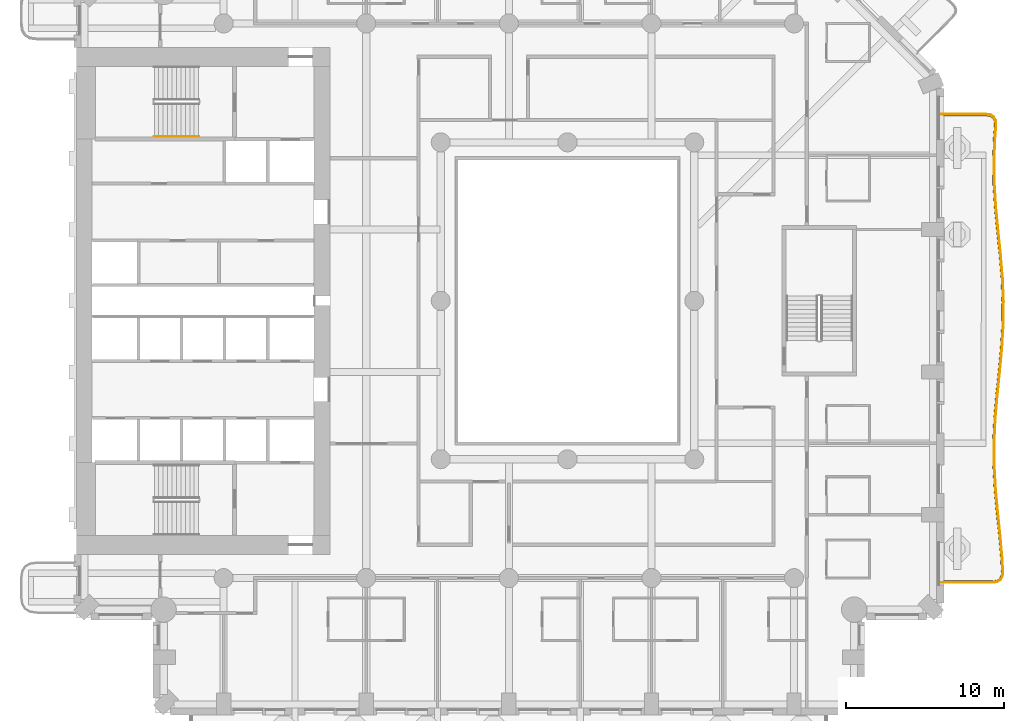
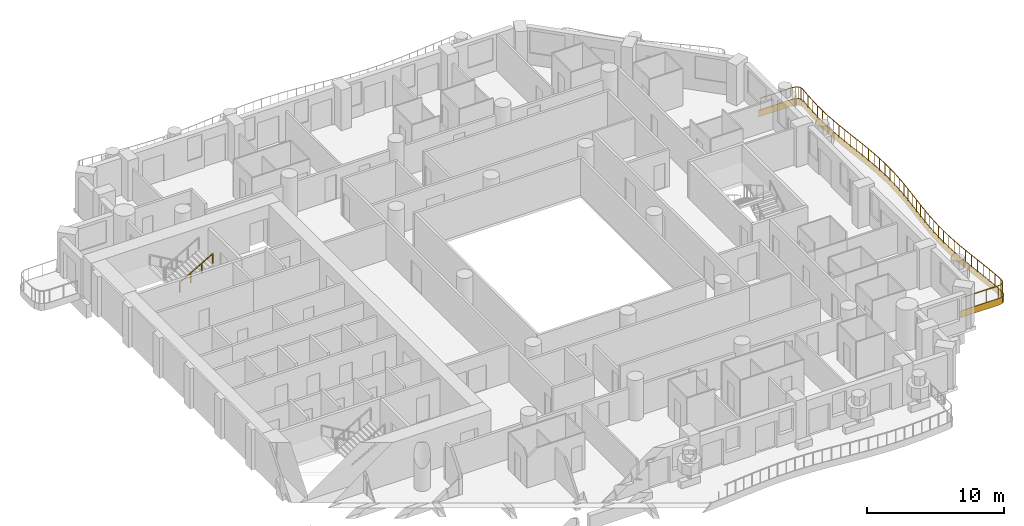
# One storey, part 16 of 20: 2 railings, 1 covering.
"""IFC4 building model written with IfcOpenShell, lengths in metres."""

from ifc_helpers import new_model, si_unit, direction, frame, origin, origin_2d, place, context, subcontext, project, spatial, polyline, rectangle, outline, extrude, material, layer, layer_set, type_object, element, save


model = new_model("IFC4")

# Units and contexts
model_context = context("Model", 3, precision=1e-05, world=origin(), true_north=direction((0.0, 1.0)))
body_context = subcontext(model_context, "Body", "Model", "MODEL_VIEW")
ifc_project = project(units=[si_unit("LENGTHUNIT", "METRE"), si_unit("AREAUNIT", "SQUARE_METRE"), si_unit("VOLUMEUNIT", "CUBIC_METRE"), si_unit("PLANEANGLEUNIT", "RADIAN"), si_unit("MASSUNIT", "GRAM", prefix="KILO")], contexts=[model_context])

# Site, building, storey
site_placement = place(None, origin())
site = spatial("IfcSite", under=ifc_project, at=site_placement, CompositionType="ELEMENT")
building_placement = place(site_placement, origin())
building = spatial("IfcBuilding", under=site, at=building_placement, Name="Cypress Arch Tower", CompositionType="ELEMENT")
storey_placement = place(building_placement, frame((0.0, 0.0, 55.5)))
storey = spatial("IfcBuildingStorey", under=building, at=storey_placement, Name="L07", CompositionType="ELEMENT", Elevation=55.5)

# Covering
ifc_material_1 = material(Name="White powder-coated aluminium fascia", Category="aluminium")
ifc_layer = layer(ifc_material_1, 0.050048828125)
ifc_layer_set = layer_set([ifc_layer], Name="Balcony fascia BF50")
covering_type = type_object("IfcCoveringType", Name="Balcony fascia BF50", PredefinedType="CLADDING", material=ifc_layer_set)
covering_placement = place(storey_placement, frame((0.0, 0.0, -0.60009765625)))
element("IfcCovering", 1, at=covering_placement, inside=storey, type_object=covering_type, Name="Balcony fascia L07-A06", PredefinedType="CLADDING", context=body_context, shape_type="SweptSolid", body=[
    extrude(outline(polyline([(27.410888671875, 11.800048828125), (27.712890625, 11.756591796875), (27.931640625, 11.619140625), (28.051025390625, 11.390380859375), (28.070556640625, 11.0859375), (28.005615234375, 10.272216796875), (27.95166015625, 8.799560546875), (27.974853515625, 7.326904296875), (28.0693359375, 5.85400390625), (28.210693359375, 4.3798828125), (28.362060546875, 2.904541015625), (28.484619140625, 1.42822265625), (28.54638671875, -0.04931640625), (28.531005859375, -1.52685546875), (28.442626953125, -3.00390625), (28.304443359375, -4.47998046875), (28.152099609375, -5.954833984375), (28.025146484375, -7.42822265625), (27.95654296875, -8.901123046875), (27.9638671875, -10.37353515625), (28.045166015625, -11.846435546875), (28.1796875, -13.320068359375), (28.33251953125, -14.795166015625), (28.4638671875, -16.271484375), (28.505859375, -17.087158203125), (28.477783203125, -17.3916015625), (28.3525390625, -17.61962890625), (28.131103515625, -17.756591796875), (27.82861328125, -17.800048828125), (24.60107421875, -17.800048828125), (24.60107421875, -17.75), (27.8251953125, -17.75), (28.11376953125, -17.70849609375), (28.315185546875, -17.583984375), (28.428955078125, -17.376708984375), (28.45556640625, -17.086181640625), (28.4140625, -16.27490234375), (28.28271484375, -14.800048828125), (28.1298828125, -13.324951171875), (27.995361328125, -11.85009765625), (27.913818359375, -10.375), (27.906494140625, -8.89990234375), (27.975341796875, -7.425048828125), (28.102294921875, -5.949951171875), (28.254638671875, -4.47509765625), (28.392822265625, -3.0), (28.48095703125, -1.52490234375), (28.496337890625, -0.050048828125), (28.434814453125, 1.425048828125), (28.3125, 2.89990234375), (28.160888671875, 4.375), (28.01953125, 5.85009765625), (27.9248046875, 7.324951171875), (27.901611328125, 8.800048828125), (27.955810546875, 10.27490234375), (28.020263671875, 11.086181640625), (28.001953125, 11.376708984375), (27.8935546875, 11.583984375), (27.6953125, 11.70849609375), (27.407470703125, 11.75), (24.60107421875, 11.75), (24.60107421875, 11.800048828125), (27.410888671875, 11.800048828125)])), origin(), (0.0, 0.0, 1.0), 0.60009765625),
])

# Railings
ifc_material_2 = material(Name="Powder-coated steel posts and rods, 100 mm clear between rods", Category="steel")
railing_type_1 = type_object("IfcRailingType", Name="Balcony guard GR1100", PredefinedType="GUARDRAIL", material=ifc_material_2)
railing_1_placement = place(storey_placement, frame((24.75, 11.699951171875, 0.0)))
element("IfcRailing", 2, at=railing_1_placement, inside=storey, type_object=railing_type_1, Name="Balcony guard L07-A06", PredefinedType="GUARDRAIL", context=body_context, shape_type="SweptSolid", body=[
    extrude(rectangle(XDim=0.050048828125, YDim=0.050048828125, at=origin_2d()), frame((0.0, 0.0, 1.0751953125), z_axis=(1.0, 0.0, 0.0), x_axis=(0.0, 1.0, 0.0)), (0.0, 0.0, 1.0), 2.65380859375),
    extrude(rectangle(XDim=0.050048828125, YDim=0.050048828125, at=origin_2d()), frame((2.65380859375, 0.0, 1.0751953125), z_axis=(0.989861078122, -0.142038889107, 0.0), x_axis=(0.142038889107, 0.989861078122, 0.0)), (0.0, 0.0, 1.0), 0.276611328125),
    extrude(rectangle(XDim=0.050048828125, YDim=0.050048828125, at=origin_2d()), frame((2.927734375, -0.039306640625, 1.0751953125), z_axis=(0.846426943671, -0.532504862914, 0.0), x_axis=(0.532504862914, 0.846426943671, 0.0)), (0.0, 0.0, 1.0), 0.2099609375),
    extrude(rectangle(XDim=0.050048828125, YDim=0.050048828125, at=origin_2d()), frame((3.10546875, -0.151123046875, 1.0751953125), z_axis=(0.462963496181, -0.88637734696, 0.0), x_axis=(0.88637734696, 0.462963496181, 0.0)), (0.0, 0.0, 1.0), 0.2099609375),
    extrude(rectangle(XDim=0.050048828125, YDim=0.050048828125, at=origin_2d()), frame((3.20263671875, -0.337158203125, 1.0751953125), z_axis=(0.063531871199, -0.997979810087, 0.0), x_axis=(0.997979810087, 0.063531871199, 0.0)), (0.0, 0.0, 1.0), 0.276611328125),
    extrude(rectangle(XDim=0.050048828125, YDim=0.050048828125, at=origin_2d()), frame((3.22021484375, -0.61328125, 1.0751953125), z_axis=(-0.079434285432, -0.99684010468, 0.0), x_axis=(0.99684010468, -0.079434285432, 0.0)), (0.0, 0.0, 1.0), 0.8115234375),
    extrude(rectangle(XDim=0.050048828125, YDim=0.050048828125, at=origin_2d()), frame((3.15576171875, -1.422119140625, 1.0751953125), z_axis=(-0.036663484118, -0.999327668451, 0.0), x_axis=(0.999327668451, -0.036663484118, 0.0)), (0.0, 0.0, 1.0), 1.478271484375),
    extrude(rectangle(XDim=0.050048828125, YDim=0.050048828125, at=origin_2d()), frame((3.1015625, -2.8994140625, 1.0751953125), z_axis=(0.0158605295, -0.999874213891, 0.0), x_axis=(0.999874213891, 0.0158605295, 0.0)), (0.0, 0.0, 1.0), 1.477783203125),
    extrude(rectangle(XDim=0.050048828125, YDim=0.050048828125, at=origin_2d()), frame((3.125, -4.376953125, 1.0751953125), z_axis=(0.064000750736, -0.997949850396, 0.0), x_axis=(0.997949850396, 0.064000750736, 0.0)), (0.0, 0.0, 1.0), 1.47998046875),
    extrude(rectangle(XDim=0.050048828125, YDim=0.050048828125, at=origin_2d()), frame((3.2197265625, -5.85400390625, 1.0751953125), z_axis=(0.0953452816, -0.995444261261, 0.0), x_axis=(0.995444261261, 0.0953452816, 0.0)), (0.0, 0.0, 1.0), 1.482666015625),
    extrude(rectangle(XDim=0.050048828125, YDim=0.050048828125, at=origin_2d()), frame((3.361083984375, -7.329833984375, 1.0751953125), z_axis=(0.102258669094, -0.994757842188, 0.0), x_axis=(0.994757842188, 0.102258669094, 0.0)), (0.0, 0.0, 1.0), 1.482666015625),
    extrude(rectangle(XDim=0.050048828125, YDim=0.050048828125, at=origin_2d()), frame((3.5126953125, -8.8046875, 1.0751953125), z_axis=(0.082567150245, -0.996585503457, 0.0), x_axis=(0.996585503457, 0.082567150245, 0.0)), (0.0, 0.0, 1.0), 1.478515625),
    extrude(rectangle(XDim=0.050048828125, YDim=0.050048828125, at=origin_2d()), frame((3.634765625, -10.278076171875, 1.0751953125), z_axis=(0.04174077842, -0.99912847393, 0.0), x_axis=(0.99912847393, 0.04174077842, 0.0)), (0.0, 0.0, 1.0), 1.473876953125),
    extrude(rectangle(XDim=0.050048828125, YDim=0.050048828125, at=origin_2d()), frame((3.6962890625, -11.750732421875, 1.0751953125), z_axis=(-0.010445458965, -0.999945444705, 0.0), x_axis=(0.999945444705, -0.010445458965, 0.0)), (0.0, 0.0, 1.0), 1.472412109375),
    extrude(rectangle(XDim=0.050048828125, YDim=0.050048828125, at=origin_2d()), frame((3.680908203125, -13.22314453125, 1.0751953125), z_axis=(-0.059565850521, -0.99822437831, 0.0), x_axis=(0.99822437831, -0.059565850521, 0.0)), (0.0, 0.0, 1.0), 1.4755859375),
    extrude(rectangle(XDim=0.050048828125, YDim=0.050048828125, at=origin_2d()), frame((3.593017578125, -14.696044921875, 1.0751953125), z_axis=(-0.093330492549, -0.99563518377, 0.0), x_axis=(0.99563518377, -0.093330492549, 0.0)), (0.0, 0.0, 1.0), 1.48046875),
    extrude(rectangle(XDim=0.050048828125, YDim=0.050048828125, at=origin_2d()), frame((3.454833984375, -16.170166015625, 1.0751953125), z_axis=(-0.102730643463, -0.994709211224, 0.0), x_axis=(0.994709211224, -0.102730643463, 0.0)), (0.0, 0.0, 1.0), 1.48291015625),
    extrude(rectangle(XDim=0.050048828125, YDim=0.050048828125, at=origin_2d()), frame((3.302490234375, -17.645263671875, 1.0751953125), z_axis=(-0.085840406319, -0.996308900213, 0.0), x_axis=(0.996308900213, -0.085840406319, 0.0)), (0.0, 0.0, 1.0), 1.481689453125),
    extrude(rectangle(XDim=0.050048828125, YDim=0.050048828125, at=origin_2d()), frame((3.17529296875, -19.12158203125, 1.0751953125), z_axis=(-0.046553339475, -0.998915805553, 0.0), x_axis=(0.998915805553, -0.046553339475, 0.0)), (0.0, 0.0, 1.0), 1.47900390625),
    extrude(rectangle(XDim=0.050048828125, YDim=0.050048828125, at=origin_2d()), frame((3.1064453125, -20.598876953125, 1.0751953125), z_axis=(0.005122206432, -0.999986881415, 0.0), x_axis=(0.999986881415, 0.005122206432, 0.0)), (0.0, 0.0, 1.0), 1.4775390625),
    extrude(rectangle(XDim=0.050048828125, YDim=0.050048828125, at=origin_2d()), frame((3.114013671875, -22.076416015625, 1.0751953125), z_axis=(0.055113592853, -0.99848009088, 0.0), x_axis=(0.99848009088, 0.055113592853, 0.0)), (0.0, 0.0, 1.0), 1.4794921875),
    extrude(rectangle(XDim=0.050048828125, YDim=0.050048828125, at=origin_2d()), frame((3.195556640625, -23.5537109375, 1.0751953125), z_axis=(0.090758515415, -0.995872929585, 0.0), x_axis=(0.995872929585, 0.090758515415, 0.0)), (0.0, 0.0, 1.0), 1.482177734375),
    extrude(rectangle(XDim=0.050048828125, YDim=0.050048828125, at=origin_2d()), frame((3.330078125, -25.02978515625, 1.0751953125), z_axis=(0.103073295143, -0.994673763517, 0.0), x_axis=(0.994673763517, 0.103073295143, 0.0)), (0.0, 0.0, 1.0), 1.482666015625),
    extrude(rectangle(XDim=0.050048828125, YDim=0.050048828125, at=origin_2d()), frame((3.48291015625, -26.504638671875, 1.0751953125), z_axis=(0.088601632447, -0.996067141677, 0.0), x_axis=(0.996067141677, 0.088601632447, 0.0)), (0.0, 0.0, 1.0), 1.479736328125),
    extrude(rectangle(XDim=0.050048828125, YDim=0.050048828125, at=origin_2d()), frame((3.614013671875, -27.978515625, 1.0751953125), z_axis=(0.051384811668, -0.998678927949, 0.0), x_axis=(0.998678927949, 0.051384811668, 0.0)), (0.0, 0.0, 1.0), 0.8076171875),
    extrude(rectangle(XDim=0.050048828125, YDim=0.050048828125, at=origin_2d()), frame((3.655517578125, -28.78515625, 1.0751953125), z_axis=(-0.091407424663, -0.995813578295, 0.0), x_axis=(0.995813578295, -0.091407424663, 0.0)), (0.0, 0.0, 1.0), 0.27783203125),
    extrude(rectangle(XDim=0.050048828125, YDim=0.050048828125, at=origin_2d()), frame((3.630126953125, -29.061767578125, 1.0751953125), z_axis=(-0.481742616239, -0.876312759064, 0.0), x_axis=(0.876312759064, -0.481742616239, 0.0)), (0.0, 0.0, 1.0), 0.212890625),
    extrude(rectangle(XDim=0.050048828125, YDim=0.050048828125, at=origin_2d()), frame((3.527587890625, -29.248291015625, 1.0751953125), z_axis=(-0.850436083409, -0.526078385828, 0.0), x_axis=(0.526078385828, -0.850436083409, 0.0)), (0.0, 0.0, 1.0), 0.212890625),
    extrude(rectangle(XDim=0.050048828125, YDim=0.050048828125, at=origin_2d()), frame((3.346435546875, -29.3603515625, 1.0751953125), z_axis=(-0.989808356363, -0.142405820365, 0.0), x_axis=(0.142405820365, -0.989808356363, 0.0)), (0.0, 0.0, 1.0), 0.27783203125),
    extrude(rectangle(XDim=0.050048828125, YDim=0.050048828125, at=origin_2d()), frame((3.071533203125, -29.39990234375, 1.0751953125), z_axis=(-1.0, 0.0, 0.0), x_axis=(0.0, -1.0, 0.0)), (0.0, 0.0, 1.0), 3.071533203125),
    extrude(rectangle(XDim=0.0400390625, YDim=0.0400390625, at=origin_2d()), origin(), (0.0, 0.0, 1.0), 1.050048828125),
    extrude(rectangle(XDim=0.0400390625, YDim=0.0400390625, at=origin_2d()), frame((0.884521484375, 0.0, 0.0)), (0.0, 0.0, 1.0), 1.050048828125),
    extrude(rectangle(XDim=0.0400390625, YDim=0.0400390625, at=origin_2d()), frame((1.769287109375, 0.0, 0.0)), (0.0, 0.0, 1.0), 1.050048828125),
    extrude(rectangle(XDim=0.0400390625, YDim=0.0400390625, at=origin_2d()), frame((2.65380859375, 0.0, 0.0)), (0.0, 0.0, 1.0), 1.050048828125),
    extrude(rectangle(XDim=0.0400390625, YDim=0.0400390625, at=origin_2d()), frame((2.927734375, -0.039306640625, 0.0)), (0.0, 0.0, 1.0), 1.050048828125),
    extrude(rectangle(XDim=0.0400390625, YDim=0.0400390625, at=origin_2d()), frame((3.10546875, -0.151123046875, 0.0)), (0.0, 0.0, 1.0), 1.050048828125),
    extrude(rectangle(XDim=0.0400390625, YDim=0.0400390625, at=origin_2d()), frame((3.20263671875, -0.337158203125, 0.0)), (0.0, 0.0, 1.0), 1.050048828125),
    extrude(rectangle(XDim=0.0400390625, YDim=0.0400390625, at=origin_2d()), frame((3.22021484375, -0.61328125, 0.0)), (0.0, 0.0, 1.0), 1.050048828125),
    extrude(rectangle(XDim=0.0400390625, YDim=0.0400390625, at=origin_2d()), frame((3.15576171875, -1.422119140625, 0.0)), (0.0, 0.0, 1.0), 1.050048828125),
    extrude(rectangle(XDim=0.0400390625, YDim=0.0400390625, at=origin_2d()), frame((3.128662109375, -2.16064453125, 0.0)), (0.0, 0.0, 1.0), 1.050048828125),
    extrude(rectangle(XDim=0.0400390625, YDim=0.0400390625, at=origin_2d()), frame((3.1015625, -2.8994140625, 0.0)), (0.0, 0.0, 1.0), 1.050048828125),
    extrude(rectangle(XDim=0.0400390625, YDim=0.0400390625, at=origin_2d()), frame((3.11328125, -3.63818359375, 0.0)), (0.0, 0.0, 1.0), 1.050048828125),
    extrude(rectangle(XDim=0.0400390625, YDim=0.0400390625, at=origin_2d()), frame((3.125, -4.376953125, 0.0)), (0.0, 0.0, 1.0), 1.050048828125),
    extrude(rectangle(XDim=0.0400390625, YDim=0.0400390625, at=origin_2d()), frame((3.17236328125, -5.115478515625, 0.0)), (0.0, 0.0, 1.0), 1.050048828125),
    extrude(rectangle(XDim=0.0400390625, YDim=0.0400390625, at=origin_2d()), frame((3.2197265625, -5.85400390625, 0.0)), (0.0, 0.0, 1.0), 1.050048828125),
    extrude(rectangle(XDim=0.0400390625, YDim=0.0400390625, at=origin_2d()), frame((3.29052734375, -6.591796875, 0.0)), (0.0, 0.0, 1.0), 1.050048828125),
    extrude(rectangle(XDim=0.0400390625, YDim=0.0400390625, at=origin_2d()), frame((3.361083984375, -7.329833984375, 0.0)), (0.0, 0.0, 1.0), 1.050048828125),
    extrude(rectangle(XDim=0.0400390625, YDim=0.0400390625, at=origin_2d()), frame((3.43701171875, -8.0673828125, 0.0)), (0.0, 0.0, 1.0), 1.050048828125),
    extrude(rectangle(XDim=0.0400390625, YDim=0.0400390625, at=origin_2d()), frame((3.5126953125, -8.8046875, 0.0)), (0.0, 0.0, 1.0), 1.050048828125),
    extrude(rectangle(XDim=0.0400390625, YDim=0.0400390625, at=origin_2d()), frame((3.57373046875, -9.54150390625, 0.0)), (0.0, 0.0, 1.0), 1.050048828125),
    extrude(rectangle(XDim=0.0400390625, YDim=0.0400390625, at=origin_2d()), frame((3.634765625, -10.278076171875, 0.0)), (0.0, 0.0, 1.0), 1.050048828125),
    extrude(rectangle(XDim=0.0400390625, YDim=0.0400390625, at=origin_2d()), frame((3.66552734375, -11.014404296875, 0.0)), (0.0, 0.0, 1.0), 1.050048828125),
    extrude(rectangle(XDim=0.0400390625, YDim=0.0400390625, at=origin_2d()), frame((3.6962890625, -11.750732421875, 0.0)), (0.0, 0.0, 1.0), 1.050048828125),
    extrude(rectangle(XDim=0.0400390625, YDim=0.0400390625, at=origin_2d()), frame((3.6884765625, -12.48681640625, 0.0)), (0.0, 0.0, 1.0), 1.050048828125),
    extrude(rectangle(XDim=0.0400390625, YDim=0.0400390625, at=origin_2d()), frame((3.680908203125, -13.22314453125, 0.0)), (0.0, 0.0, 1.0), 1.050048828125),
    extrude(rectangle(XDim=0.0400390625, YDim=0.0400390625, at=origin_2d()), frame((3.636962890625, -13.95947265625, 0.0)), (0.0, 0.0, 1.0), 1.050048828125),
    extrude(rectangle(XDim=0.0400390625, YDim=0.0400390625, at=origin_2d()), frame((3.593017578125, -14.696044921875, 0.0)), (0.0, 0.0, 1.0), 1.050048828125),
    extrude(rectangle(XDim=0.0400390625, YDim=0.0400390625, at=origin_2d()), frame((3.52392578125, -15.43310546875, 0.0)), (0.0, 0.0, 1.0), 1.050048828125),
    extrude(rectangle(XDim=0.0400390625, YDim=0.0400390625, at=origin_2d()), frame((3.454833984375, -16.170166015625, 0.0)), (0.0, 0.0, 1.0), 1.050048828125),
    extrude(rectangle(XDim=0.0400390625, YDim=0.0400390625, at=origin_2d()), frame((3.378662109375, -16.90771484375, 0.0)), (0.0, 0.0, 1.0), 1.050048828125),
    extrude(rectangle(XDim=0.0400390625, YDim=0.0400390625, at=origin_2d()), frame((3.302490234375, -17.645263671875, 0.0)), (0.0, 0.0, 1.0), 1.050048828125),
    extrude(rectangle(XDim=0.0400390625, YDim=0.0400390625, at=origin_2d()), frame((3.23876953125, -18.38330078125, 0.0)), (0.0, 0.0, 1.0), 1.050048828125),
    extrude(rectangle(XDim=0.0400390625, YDim=0.0400390625, at=origin_2d()), frame((3.17529296875, -19.12158203125, 0.0)), (0.0, 0.0, 1.0), 1.050048828125),
    extrude(rectangle(XDim=0.0400390625, YDim=0.0400390625, at=origin_2d()), frame((3.140869140625, -19.8603515625, 0.0)), (0.0, 0.0, 1.0), 1.050048828125),
    extrude(rectangle(XDim=0.0400390625, YDim=0.0400390625, at=origin_2d()), frame((3.1064453125, -20.598876953125, 0.0)), (0.0, 0.0, 1.0), 1.050048828125),
    extrude(rectangle(XDim=0.0400390625, YDim=0.0400390625, at=origin_2d()), frame((3.1103515625, -21.337646484375, 0.0)), (0.0, 0.0, 1.0), 1.050048828125),
    extrude(rectangle(XDim=0.0400390625, YDim=0.0400390625, at=origin_2d()), frame((3.114013671875, -22.076416015625, 0.0)), (0.0, 0.0, 1.0), 1.050048828125),
    extrude(rectangle(XDim=0.0400390625, YDim=0.0400390625, at=origin_2d()), frame((3.15478515625, -22.81494140625, 0.0)), (0.0, 0.0, 1.0), 1.050048828125),
    extrude(rectangle(XDim=0.0400390625, YDim=0.0400390625, at=origin_2d()), frame((3.195556640625, -23.5537109375, 0.0)), (0.0, 0.0, 1.0), 1.050048828125),
    extrude(rectangle(XDim=0.0400390625, YDim=0.0400390625, at=origin_2d()), frame((3.2626953125, -24.291748046875, 0.0)), (0.0, 0.0, 1.0), 1.050048828125),
    extrude(rectangle(XDim=0.0400390625, YDim=0.0400390625, at=origin_2d()), frame((3.330078125, -25.02978515625, 0.0)), (0.0, 0.0, 1.0), 1.050048828125),
    extrude(rectangle(XDim=0.0400390625, YDim=0.0400390625, at=origin_2d()), frame((3.406494140625, -25.76708984375, 0.0)), (0.0, 0.0, 1.0), 1.050048828125),
    extrude(rectangle(XDim=0.0400390625, YDim=0.0400390625, at=origin_2d()), frame((3.48291015625, -26.504638671875, 0.0)), (0.0, 0.0, 1.0), 1.050048828125),
    extrude(rectangle(XDim=0.0400390625, YDim=0.0400390625, at=origin_2d()), frame((3.54833984375, -27.24169921875, 0.0)), (0.0, 0.0, 1.0), 1.050048828125),
    extrude(rectangle(XDim=0.0400390625, YDim=0.0400390625, at=origin_2d()), frame((3.614013671875, -27.978515625, 0.0)), (0.0, 0.0, 1.0), 1.050048828125),
    extrude(rectangle(XDim=0.0400390625, YDim=0.0400390625, at=origin_2d()), frame((3.655517578125, -28.78515625, 0.0)), (0.0, 0.0, 1.0), 1.050048828125),
    extrude(rectangle(XDim=0.0400390625, YDim=0.0400390625, at=origin_2d()), frame((3.630126953125, -29.061767578125, 0.0)), (0.0, 0.0, 1.0), 1.050048828125),
    extrude(rectangle(XDim=0.0400390625, YDim=0.0400390625, at=origin_2d()), frame((3.527587890625, -29.248291015625, 0.0)), (0.0, 0.0, 1.0), 1.050048828125),
    extrude(rectangle(XDim=0.0400390625, YDim=0.0400390625, at=origin_2d()), frame((3.346435546875, -29.3603515625, 0.0)), (0.0, 0.0, 1.0), 1.050048828125),
    extrude(rectangle(XDim=0.0400390625, YDim=0.0400390625, at=origin_2d()), frame((3.071533203125, -29.39990234375, 0.0)), (0.0, 0.0, 1.0), 1.050048828125),
    extrude(rectangle(XDim=0.0400390625, YDim=0.0400390625, at=origin_2d()), frame((2.047607421875, -29.39990234375, 0.0)), (0.0, 0.0, 1.0), 1.050048828125),
    extrude(rectangle(XDim=0.0400390625, YDim=0.0400390625, at=origin_2d()), frame((1.02392578125, -29.39990234375, 0.0)), (0.0, 0.0, 1.0), 1.050048828125),
    extrude(rectangle(XDim=0.0400390625, YDim=0.0400390625, at=origin_2d()), frame((0.0, -29.39990234375, 0.0)), (0.0, 0.0, 1.0), 1.050048828125),
])
ifc_material_3 = material(Name="Black powder-coated steel square bar 48 mm", Category="steel")
railing_type_2 = type_object("IfcRailingType", Name="Stair handrail HR1", PredefinedType="HANDRAIL", material=ifc_material_3)
railing_2_placement = place(storey_placement, frame((-25.074951171875, 10.375, 1.963623046875)))
element("IfcRailing", 3, at=railing_2_placement, inside=storey, type_object=railing_type_2, Name="L07 B stair handrail 2", PredefinedType="HANDRAIL", context=body_context, shape_type="SweptSolid", body=[
    extrude(rectangle(XDim=0.048095703125, YDim=0.048095703125, at=origin_2d()), frame((0.0, 0.0, 0.8759765625), z_axis=(0.863360870873, 0.0, 0.504586966384), x_axis=(0.0, 1.0, 0.0)), (0.0, 0.0, 1.0), 3.2431640625),
    extrude(rectangle(XDim=0.0419921875, YDim=0.0419921875, at=origin_2d()), origin(), (0.0, 0.0, 1.0), 0.851806640625),
    extrude(rectangle(XDim=0.0419921875, YDim=0.0419921875, at=origin_2d()), frame((0.933349609375, 0.0, 0.54541015625)), (0.0, 0.0, 1.0), 0.851806640625),
    extrude(rectangle(XDim=0.0419921875, YDim=0.0419921875, at=origin_2d()), frame((1.86669921875, 0.0, 1.091064453125)), (0.0, 0.0, 1.0), 0.851806640625),
    extrude(rectangle(XDim=0.0419921875, YDim=0.0419921875, at=origin_2d()), frame((2.800048828125, 0.0, 1.636474609375)), (0.0, 0.0, 1.0), 0.851806640625),
])

save(model, "model.ifc")
